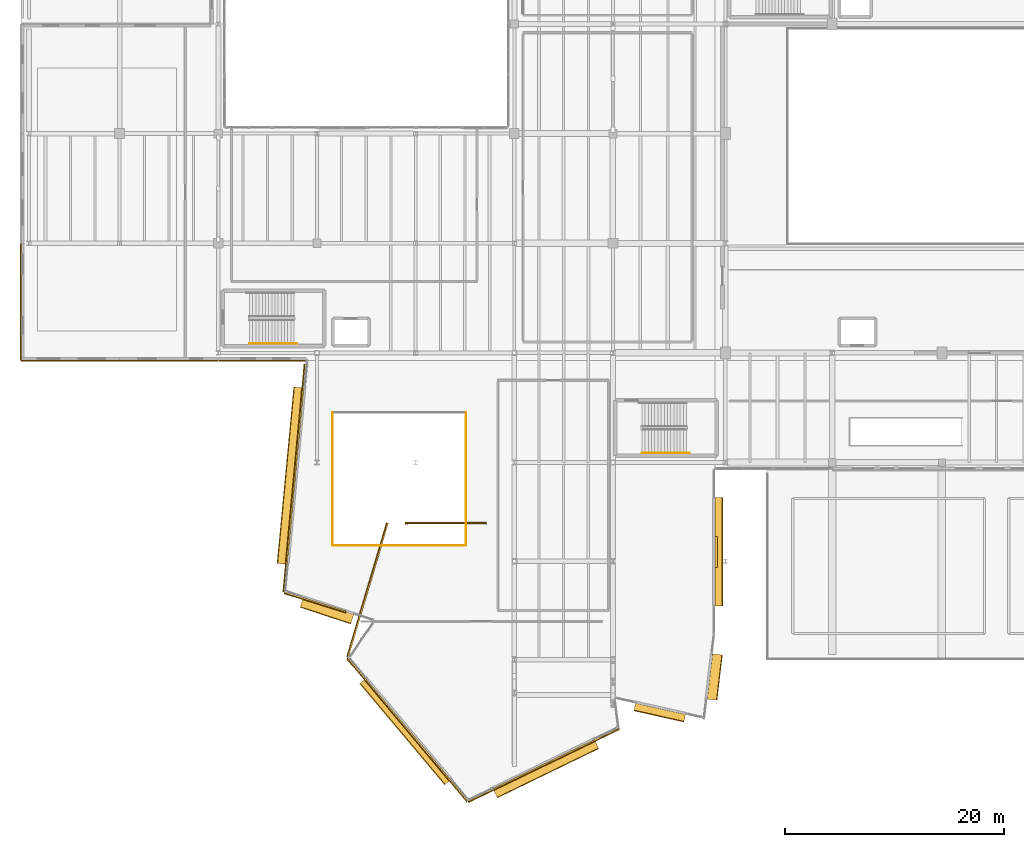
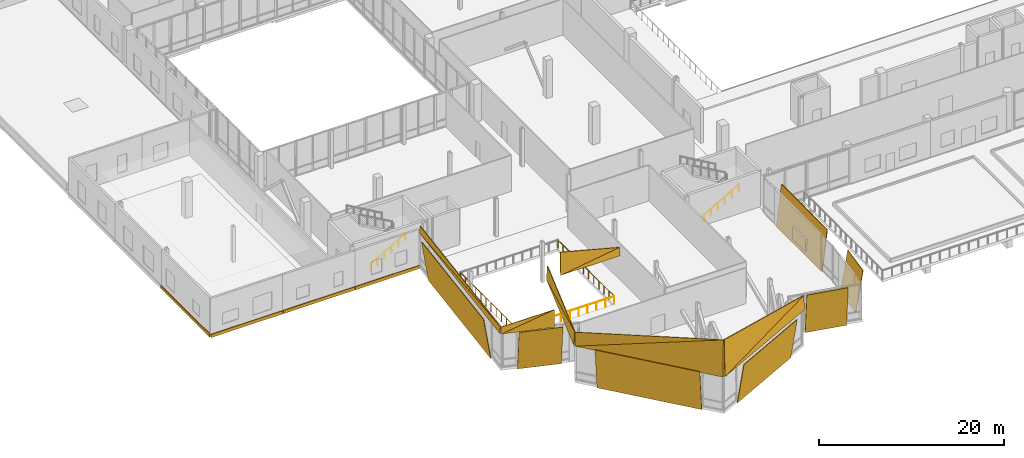
# One storey, part 49 of 60: 23 coverings, 5 railings, 1 shading device.
"""IFC4 building model written with IfcOpenShell, lengths in metres."""

from ifc_helpers import new_model, si_unit, direction, frame, origin, origin_2d, place, context, subcontext, project, spatial, polyline, rectangle, circle, outline, extrude, material, layer, layer_set, type_object, element, save


model = new_model("IFC4")

# Units and contexts
model_context = context("Model", 3, precision=1e-05, world=origin(), true_north=direction((0.0, 1.0)))
body_context = subcontext(model_context, "Body", "Model", "MODEL_VIEW")
ifc_project = project(units=[si_unit("LENGTHUNIT", "METRE"), si_unit("AREAUNIT", "SQUARE_METRE"), si_unit("VOLUMEUNIT", "CUBIC_METRE"), si_unit("PLANEANGLEUNIT", "RADIAN"), si_unit("MASSUNIT", "GRAM", prefix="KILO")], contexts=[model_context])

# Site, building, storey
site_placement = place(None, origin())
site = spatial("IfcSite", under=ifc_project, at=site_placement, CompositionType="ELEMENT")
building_placement = place(site_placement, origin())
building = spatial("IfcBuilding", under=site, at=building_placement, Name="Trimount Lyric Opera House", CompositionType="ELEMENT")
storey_placement = place(building_placement, frame((0.0, 0.0, 15.0)))
storey = spatial("IfcBuildingStorey", under=building, at=storey_placement, Name="L03", CompositionType="ELEMENT", Elevation=15.0)

# Coverings
ifc_material_1 = material(Name="Matte White GFRC Crystal Facet Panel")
ifc_layer_1 = layer(ifc_material_1, 0.0849609375)
ifc_layer_set_1 = layer_set([ifc_layer_1], Name="CLD-CRYS1")
covering_type_1 = type_object("IfcCoveringType", Name="CLD-CRYS1", PredefinedType="CLADDING", material=ifc_layer_set_1)
covering_1_placement = place(storey_placement, frame((63.294921875, 40.7900390625, -0.360107421875), z_axis=(-0.992963032863, 0.0, 0.118424724476), x_axis=(0.0, -1.0, 0.0)))
element("IfcCovering", 1, at=covering_1_placement, inside=storey, type_object=covering_type_1, Name="L03 broken-crystal tilted white plane 007", PredefinedType="CLADDING", context=body_context, shape_type="SweptSolid", body=[
    extrude(outline(polyline([(0.0, 0.0), (9.89111328125, 0.0), (9.89111328125, 5.438416442155196), (0.0, 5.438416442155196), (0.0, 0.0)])), origin(), (0.0, 0.0, -1.0), 0.0849609375),
])
covering_2_placement = place(storey_placement, frame((60.61962890625, 21.02392578125, -0.360107421875), z_axis=(0.21675348473, 0.969015578795, 0.118434517395), x_axis=(-0.97588398213, 0.218289838108, 0.0)))
element("IfcCovering", 2, at=covering_2_placement, inside=storey, type_object=covering_type_1, Name="L03 broken-crystal tilted white plane 009", PredefinedType="CLADDING", context=body_context, shape_type="SweptSolid", body=[
    extrude(outline(polyline([(0.0, 0.0), (4.677249763886362, -1.3877787807814457e-17), (4.677309327117693, 5.4182614090830565), (5.956323133120659e-05, 5.4182614090830565), (0.0, 0.0)])), origin(), (0.0, 0.0, -1.0), 0.0849609375),
])
covering_3_placement = place(storey_placement, frame((39.192138671875, 15.0537109375, -0.360107421875), z_axis=(0.76042790397, 0.638540075456, 0.118389082691), x_axis=(-0.643062469103, 0.765813724629, -9.12318e-07)))
element("IfcCovering", 3, at=covering_3_placement, inside=storey, type_object=covering_type_1, Name="L03 broken-crystal tilted white plane 011", PredefinedType="CLADDING", context=body_context, shape_type="SweptSolid", body=[
    extrude(outline(polyline([(0.0, 0.0), (12.045741602737102, 1.1102230246251565e-16), (12.045777230436347, 5.438404231874411), (-0.00012136997387718699, 5.438382096970377), (0.0, 0.0)])), origin(), (0.0, 0.0, -1.0), 0.0849609375),
])
covering_4_placement = place(storey_placement, frame((29.704345703125, 26.077880859375, 4.580078125), z_axis=(-0.766463558092, -0.641955530798, 0.020656974467), x_axis=(0.64209253926, -0.766627139506, 0.0)))
element("IfcCovering", 4, at=covering_4_placement, inside=storey, type_object=covering_type_1, Name="L03 white crystal gable facet CRYS-GB-S2W.1", PredefinedType="CLADDING", context=body_context, shape_type="SweptSolid", body=[
    extrude(outline(polyline([(0.0, 0.0), (17.02236199975293, 5.551115123125783e-17), (17.022360564117594, 4.840876686886658), (0.0, 0.0)])), origin(), (0.0, 0.0, -1.0), 0.0849609375),
])
covering_5_placement = place(storey_placement, frame((29.704345703125, 26.077880859375, 4.580078125), z_axis=(-0.77189818038, -0.633239259508, 0.056402476399), x_axis=(0.621935800079, -0.733760913657, 0.273479034243)))
element("IfcCovering", 5, at=covering_5_placement, inside=storey, type_object=covering_type_1, Name="L03 white crystal gable facet CRYS-GB-S2W.2", PredefinedType="CLADDING", context=body_context, shape_type="SweptSolid", body=[
    extrude(outline(polyline([(0.0, 0.0), (17.69731183746471, 0.0), (0.48462688456832304, 1.7053168318499685), (0.0, 0.0)])), origin(), (0.0, 0.0, -1.0), 0.0849609375),
])
covering_6_placement = place(storey_placement, frame((40.862548828125, 12.97900390625, 4.580078125), z_axis=(0.434230194419, -0.899164822147, 0.054284075634), x_axis=(0.900492569139, 0.434871398146, 0.0)))
element("IfcCovering", 6, at=covering_6_placement, inside=storey, type_object=covering_type_1, Name="L03 white crystal gable facet CRYS-GB-S2E.1", PredefinedType="CLADDING", context=body_context, shape_type="SweptSolid", body=[
    extrude(outline(polyline([(0.0, 0.0), (15.291652594550342, 0.0), (15.291696507784959, 1.8425605455691316), (0.0, 0.0)])), origin(), (0.0, 0.0, -1.0), 0.0849609375),
])
covering_7_placement = place(storey_placement, frame((40.862548828125, 12.97900390625, 4.580078125), z_axis=(0.438430468805, -0.898528624372, 0.020616382023), x_axis=(0.891201813551, 0.437596194982, 0.11945249123)))
element("IfcCovering", 7, at=covering_7_placement, inside=storey, type_object=covering_type_1, Name="L03 white crystal gable facet CRYS-GB-S2E.2", PredefinedType="CLADDING", context=body_context, shape_type="SweptSolid", body=[
    extrude(outline(polyline([(0.0, 0.0), (15.402305394008092, 2.220446049250313e-16), (0.5787176911830185, 4.806155820539424), (0.0, 0.0)])), origin(), (0.0, 0.0, -1.0), 0.0849609375),
])
covering_8_placement = place(storey_placement, frame((33.31787109375, 38.504150390625, 4.580078125), z_axis=(-0.956842972056, 0.285092522964, 0.056336313136), x_axis=(-0.285546013208, -0.958365000582, 0.0)))
element("IfcCovering", 8, at=covering_8_placement, inside=storey, type_object=covering_type_1, Name="L03 white crystal gable facet CRYS-GB-S2WL.1", PredefinedType="CLADDING", context=body_context, shape_type="SweptSolid", body=[
    extrude(outline(polyline([(0.0, 0.0), (12.782186319988915, 0.0), (12.78223384632943, 1.772835061381857), (0.0, 0.0)])), origin(), (0.0, 0.0, -1.0), 0.0849609375),
])
covering_9_placement = place(storey_placement, frame((33.31787109375, 38.504150390625, 4.580078125), z_axis=(-0.956830630857, 0.285107915377, 0.0564678709), x_axis=(-0.275421317897, -0.951488139922, 0.137162010905)))
element("IfcCovering", 9, at=covering_9_placement, inside=storey, type_object=covering_type_1, Name="L03 white crystal gable facet CRYS-GB-S2WL.2", PredefinedType="CLADDING", context=body_context, shape_type="SweptSolid", body=[
    extrude(outline(polyline([(0.0, 0.0), (12.904590123561244, -2.220446049250313e-16), (0.24353225427180003, 1.756041852547658), (0.0, 0.0)])), origin(), (0.0, 0.0, -1.0), 0.0849609375),
])
covering_10_placement = place(storey_placement, frame((23.993408203125, 32.0185546875, 4.580078125), z_axis=(-0.297985319245, -0.953528078616, 0.044597677132), x_axis=(0.954477756673, -0.298282101401, 0.0)))
element("IfcCovering", 10, at=covering_10_placement, inside=storey, type_object=covering_type_1, Name="L03 white crystal gable facet CRYS-GB-S1S.1", PredefinedType="CLADDING", context=body_context, shape_type="SweptSolid", body=[
    extrude(outline(polyline([(0.0, 0.0), (5.866929298743736, 0.0), (5.866884861406422, 2.242221180292309), (0.0, 0.0)])), origin(), (0.0, 0.0, -1.0), 0.0849609375),
])
covering_11_placement = place(storey_placement, frame((23.993408203125, 32.0185546875, 4.580078125), z_axis=(-0.322992816563, -0.938993229232, 0.118183568677), x_axis=(0.896331400884, -0.263430239984, 0.35664341919)))
element("IfcCovering", 11, at=covering_11_placement, inside=storey, type_object=covering_type_1, Name="L03 white crystal gable facet CRYS-GB-S1S.2", PredefinedType="CLADDING", context=body_context, shape_type="SweptSolid", body=[
    extrude(outline(polyline([(0.0, 0.0), (6.280755830180894, -4.440892098500626e-16), (0.3010753342501634, 0.7903737981176744), (0.0, 0.0)])), origin(), (0.0, 0.0, -1.0), 0.0849609375),
])
covering_12_placement = place(storey_placement, frame((35.0400390625, 38.389892578125, 4.580078125), z_axis=(0.0, -0.99540046293, 0.095801453005), x_axis=(1.0, 0.0, 0.0)))
element("IfcCovering", 12, at=covering_12_placement, inside=storey, type_object=covering_type_1, Name="L03 white crystal gable facet CRYS-GB-S1E.1", PredefinedType="CLADDING", context=body_context, shape_type="SweptSolid", body=[
    extrude(outline(polyline([(0.0, 0.0), (7.409912109375, 0.0), (7.409912109375, 1.044844865189384), (0.0, 0.0)])), origin(), (0.0, 0.0, -1.0), 0.0849609375),
])
covering_13_placement = place(storey_placement, frame((35.0400390625, 38.389892578125, 4.580078125), z_axis=(0.008788695274, -0.999397732067, 0.033569807484), x_axis=(0.990204433537, 0.013376291317, 0.13898292929)))
element("IfcCovering", 13, at=covering_13_placement, inside=storey, type_object=covering_type_1, Name="L03 white crystal gable facet CRYS-GB-S1E.2", PredefinedType="CLADDING", context=body_context, shape_type="SweptSolid", body=[
    extrude(outline(polyline([(0.0, 0.0), (7.48321443371596, 2.220446049250313e-16), (0.41550535018275586, 2.9525681091022644), (0.0, 0.0)])), origin(), (0.0, 0.0, -1.0), 0.0849609375),
])
covering_14_placement = place(storey_placement, frame((25.810791015625, 52.9677734375, 4.580078125), z_axis=(-0.988624387744, 0.09290454378, 0.118281721763), x_axis=(-0.093561337116, -0.995613517484, 0.0)))
element("IfcCovering", 14, at=covering_14_placement, inside=storey, type_object=covering_type_1, Name="L03 white crystal gable facet CRYS-GB-S1W.1", PredefinedType="CLADDING", context=body_context, shape_type="SweptSolid", body=[
    extrude(outline(polyline([(0.0, 0.0), (20.84142052674665, -2.7755575615628914e-17), (20.841337589276232, 0.8457810675525815), (0.0, 0.0)])), origin(), (0.0, 0.0, -1.0), 0.0849609375),
])
covering_15_placement = place(storey_placement, frame((25.810791015625, 52.9677734375, 4.580078125), z_axis=(-0.989109348141, 0.092784771264, 0.114252718313), x_axis=(-0.088709278525, -0.995243429605, 0.040263876254)))
element("IfcCovering", 15, at=covering_15_placement, inside=storey, type_object=covering_type_1, Name="L03 white crystal gable facet CRYS-GB-S1W.2", PredefinedType="CLADDING", context=body_context, shape_type="SweptSolid", body=[
    extrude(outline(polyline([(0.0, 0.0), (20.858492230370075, 0.0), (0.03542140033650827, 0.8748900152434836), (0.0, 0.0)])), origin(), (0.0, 0.0, -1.0), 0.0849609375),
])
ifc_material_2 = material(Name="Brushed White Aluminium Crystal Cladding", Category="aluminium")
ifc_layer_2 = layer(ifc_material_2, 0.070068359375)
ifc_layer_set_2 = layer_set([ifc_layer_2], Name="CLD-CRYS2")
covering_type_2 = type_object("IfcCoveringType", Name="CLD-CRYS2", PredefinedType="CLADDING", material=ifc_layer_set_2)
covering_16_placement = place(storey_placement, frame((24.263427734375, 34.71630859375, -0.360107421875), z_axis=(0.983286939399, -0.093113275768, 0.156450352136), x_axis=(0.094274184652, 0.995546271204, 0.0)))
element("IfcCovering", 16, at=covering_16_placement, inside=storey, type_object=covering_type_2, Name="L03 broken-crystal tilted white plane 006", PredefinedType="CLADDING", context=body_context, shape_type="SweptSolid", body=[
    extrude(outline(polyline([(0.0, 0.0), (16.154467146765597, 2.7755575615628914e-17), (16.154637425013178, 5.4674739194261806), (0.0001702782475827419, 5.4674739194261806), (0.0, 0.0)])), origin(), (0.0, 0.0, -1.0), 0.070068359375),
])
covering_17_placement = place(storey_placement, frame((63.080078125, 26.554443359375, -0.360107421875), z_axis=(-0.980837191307, 0.116160918104, 0.156413059732), x_axis=(-0.117609182319, -0.993059958016, -4.498362e-06)))
element("IfcCovering", 17, at=covering_17_placement, inside=storey, type_object=covering_type_2, Name="L03 broken-crystal tilted white plane 008", PredefinedType="CLADDING", context=body_context, shape_type="SweptSolid", body=[
    extrude(outline(polyline([(0.0, 0.0), (4.163183923039241, 0.0), (4.163154347391649, 5.467460184554166), (-8.624683150669386e-07, 5.467422262917448), (0.0, 0.0)])), origin(), (0.0, 0.0, -1.0), 0.070068359375),
])
covering_18_placement = place(storey_placement, frame((52.313232421875, 18.717529296875, -0.360107421875), z_axis=(-0.43137062132, 0.888507140498, 0.156443115368), x_axis=(-0.899583797098, -0.436748202054, -8.01306e-07)))
element("IfcCovering", 18, at=covering_18_placement, inside=storey, type_object=covering_type_2, Name="L03 broken-crystal tilted white plane 010", PredefinedType="CLADDING", context=body_context, shape_type="SweptSolid", body=[
    extrude(outline(polyline([(0.0, 0.0), (10.280607910610158, 0.0), (10.280487404140151, 5.447206809189521), (9.911848045590651e-05, 5.447190128150118), (0.0, 0.0)])), origin(), (0.0, 0.0, -1.0), 0.070068359375),
])
covering_19_placement = place(storey_placement, frame((30.35302734375, 30.138916015625, -0.360107421875), z_axis=(0.308326433747, 0.938331825025, 0.156423132555), x_axis=(-0.950026582896, 0.312169011577, 1.214143e-06)))
element("IfcCovering", 19, at=covering_19_placement, inside=storey, type_object=covering_type_2, Name="L03 broken-crystal tilted white plane 012", PredefinedType="CLADDING", context=body_context, shape_type="SweptSolid", body=[
    extrude(outline(polyline([(0.0, 0.0), (4.8489988926872885, 5.551115123125783e-17), (4.8488786388295, 5.467444093551061), (0.00011168622592684334, 5.467456014770643), (0.0, 0.0)])), origin(), (0.0, 0.0, -1.0), 0.070068359375),
])
ifc_material_3 = material(Name="Architectural Precast Concrete Spandrel Band", Category="concrete")
ifc_layer_3 = layer(ifc_material_3, 0.094970703125)
ifc_layer_set_3 = layer_set([ifc_layer_3], Name="CLD-WING1")
covering_type_3 = type_object("IfcCoveringType", Name="CLD-WING1", PredefinedType="CLADDING", material=ifc_layer_set_3)
covering_20_placement = place(storey_placement, frame((22.0, 53.278564453125, -0.369873046875), z_axis=(0.0, 0.0, 1.0), x_axis=(-1.0, 0.0, 0.0)))
element("IfcCovering", 20, at=covering_20_placement, inside=storey, type_object=covering_type_3, Name="L03 precast slab-edge spandrel 241", PredefinedType="CLADDING", context=body_context, shape_type="SweptSolid", body=[
    extrude(rectangle(XDim=7.93994140625, YDim=0.094970703125, at=origin_2d()), origin(), (0.0, 0.0, 1.0), 0.419921875),
])
for number, where, z_axis, x_axis, name in (
    (21, (13.5, 53.278564453125, -0.369873046875), (0.0, 0.0, 1.0), (-1.0, 0.0, 0.0), "L03 precast slab-edge spandrel 242"),
    (22, (4.5, 53.278564453125, -0.369873046875), (0.0, 0.0, 1.0), (-1.0, 0.0, 0.0), "L03 precast slab-edge spandrel 243"),
):
    element("IfcCovering", number, at=place(storey_placement, frame(where, z_axis=z_axis, x_axis=x_axis)), inside=storey, type_object=covering_type_3, Name=name, PredefinedType="CLADDING", context=body_context, shape_type="SweptSolid", body=[
        extrude(rectangle(XDim=8.93994140625, YDim=0.094970703125, at=origin_2d()), origin(), (0.0, 0.0, 1.0), 0.419921875),
    ])
covering_21_placement = place(storey_placement, frame((-0.04150390625, 58.659912109375, -0.369873046875), z_axis=(0.0, 0.0, 1.0), x_axis=(0.0, 1.0, 0.0)))
element("IfcCovering", 23, at=covering_21_placement, inside=storey, type_object=covering_type_3, Name="L03 precast slab-edge spandrel 244", PredefinedType="CLADDING", context=body_context, shape_type="SweptSolid", body=[
    extrude(rectangle(XDim=10.6201171875, YDim=0.094970703125, at=origin_2d()), origin(), (0.0, 0.0, 1.0), 0.419921875),
])

# Railings
ifc_material_4 = material(Name="Bronze and Laminated Acoustic Glass", Category="glass")
railing_type_1 = type_object("IfcRailingType", Name="RL-BAL112", PredefinedType="BALUSTRADE", material=ifc_material_4)
railing_1_placement = place(storey_placement, frame((28.419921875, 36.419921875, 0.0)))
element("IfcRailing", 24, at=railing_1_placement, inside=storey, type_object=railing_type_1, Name="L03 atrium and balcony guard GRD-ST-L03-S", PredefinedType="BALUSTRADE", context=body_context, shape_type="SweptSolid", body=[
    extrude(circle(Radius=0.02734375, at=origin_2d()), frame((0.0, 0.0, 1.0927734375), z_axis=(1.0, 0.0, 0.0), x_axis=(0.0, 1.0, 0.0)), (0.0, 0.0, 1.0), 12.16015625),
    extrude(circle(Radius=0.02099609375, at=origin_2d()), origin(), (0.0, 0.0, 1.0), 1.065185546875),
    extrude(circle(Radius=0.02099609375, at=origin_2d()), frame((1.10546875, 0.0, 0.0)), (0.0, 0.0, 1.0), 1.065185546875),
    extrude(circle(Radius=0.02099609375, at=origin_2d()), frame((2.2109375, 0.0, 0.0)), (0.0, 0.0, 1.0), 1.065185546875),
    extrude(circle(Radius=0.02099609375, at=origin_2d()), frame((3.31640625, 0.0, 0.0)), (0.0, 0.0, 1.0), 1.065185546875),
    extrude(circle(Radius=0.02099609375, at=origin_2d()), frame((4.421875, 0.0, 0.0)), (0.0, 0.0, 1.0), 1.065185546875),
    extrude(circle(Radius=0.02099609375, at=origin_2d()), frame((5.52734375, 0.0, 0.0)), (0.0, 0.0, 1.0), 1.065185546875),
    extrude(circle(Radius=0.02099609375, at=origin_2d()), frame((6.6328125, 0.0, 0.0)), (0.0, 0.0, 1.0), 1.065185546875),
    extrude(circle(Radius=0.02099609375, at=origin_2d()), frame((7.73828125, 0.0, 0.0)), (0.0, 0.0, 1.0), 1.065185546875),
    extrude(circle(Radius=0.02099609375, at=origin_2d()), frame((8.84375, 0.0, 0.0)), (0.0, 0.0, 1.0), 1.065185546875),
    extrude(circle(Radius=0.02099609375, at=origin_2d()), frame((9.94921875, 0.0, 0.0)), (0.0, 0.0, 1.0), 1.065185546875),
    extrude(circle(Radius=0.02099609375, at=origin_2d()), frame((11.0546875, 0.0, 0.0)), (0.0, 0.0, 1.0), 1.065185546875),
    extrude(circle(Radius=0.02099609375, at=origin_2d()), frame((12.16015625, 0.0, 0.0)), (0.0, 0.0, 1.0), 1.065185546875),
])
railing_2_placement = place(storey_placement, frame((40.580078125, 36.419921875, 0.0)))
element("IfcRailing", 25, at=railing_2_placement, inside=storey, type_object=railing_type_1, Name="L03 atrium and balcony guard GRD-ST-L03-E", PredefinedType="BALUSTRADE", context=body_context, shape_type="SweptSolid", body=[
    extrude(circle(Radius=0.02734375, at=origin_2d()), frame((0.0, 0.0, 1.0927734375), z_axis=(0.0, 1.0, 0.0), x_axis=(-1.0, 0.0, 0.0)), (0.0, 0.0, 1.0), 12.16015625),
    extrude(circle(Radius=0.02099609375, at=origin_2d()), origin(), (0.0, 0.0, 1.0), 1.065185546875),
    extrude(circle(Radius=0.02099609375, at=origin_2d()), frame((0.0, 1.10546875, 0.0)), (0.0, 0.0, 1.0), 1.065185546875),
    extrude(circle(Radius=0.02099609375, at=origin_2d()), frame((0.0, 2.2109375, 0.0)), (0.0, 0.0, 1.0), 1.065185546875),
    extrude(circle(Radius=0.02099609375, at=origin_2d()), frame((0.0, 3.31640625, 0.0)), (0.0, 0.0, 1.0), 1.065185546875),
    extrude(circle(Radius=0.02099609375, at=origin_2d()), frame((0.0, 4.421875, 0.0)), (0.0, 0.0, 1.0), 1.065185546875),
    extrude(circle(Radius=0.02099609375, at=origin_2d()), frame((0.0, 5.52734375, 0.0)), (0.0, 0.0, 1.0), 1.065185546875),
    extrude(circle(Radius=0.02099609375, at=origin_2d()), frame((0.0, 6.6328125, 0.0)), (0.0, 0.0, 1.0), 1.065185546875),
    extrude(circle(Radius=0.02099609375, at=origin_2d()), frame((0.0, 7.73828125, 0.0)), (0.0, 0.0, 1.0), 1.065185546875),
    extrude(circle(Radius=0.02099609375, at=origin_2d()), frame((0.0, 8.84375, 0.0)), (0.0, 0.0, 1.0), 1.065185546875),
    extrude(circle(Radius=0.02099609375, at=origin_2d()), frame((0.0, 9.94921875, 0.0)), (0.0, 0.0, 1.0), 1.065185546875),
    extrude(circle(Radius=0.02099609375, at=origin_2d()), frame((0.0, 11.0546875, 0.0)), (0.0, 0.0, 1.0), 1.065185546875),
    extrude(circle(Radius=0.02099609375, at=origin_2d()), frame((0.0, 12.16015625, 0.0)), (0.0, 0.0, 1.0), 1.065185546875),
])
railing_3_placement = place(storey_placement, frame((28.419921875, 48.580078125, 0.0)))
element("IfcRailing", 26, at=railing_3_placement, inside=storey, type_object=railing_type_1, Name="L03 atrium and balcony guard GRD-ST-L03-W", PredefinedType="BALUSTRADE", context=body_context, shape_type="SweptSolid", body=[
    extrude(circle(Radius=0.02734375, at=origin_2d()), frame((0.0, 0.0, 1.0927734375), z_axis=(0.0, -1.0, 0.0), x_axis=(1.0, 0.0, 0.0)), (0.0, 0.0, 1.0), 12.16015625),
    extrude(circle(Radius=0.02099609375, at=origin_2d()), origin(), (0.0, 0.0, 1.0), 1.065185546875),
    extrude(circle(Radius=0.02099609375, at=origin_2d()), frame((0.0, -1.10546875, 0.0)), (0.0, 0.0, 1.0), 1.065185546875),
    extrude(circle(Radius=0.02099609375, at=origin_2d()), frame((0.0, -2.2109375, 0.0)), (0.0, 0.0, 1.0), 1.065185546875),
    extrude(circle(Radius=0.02099609375, at=origin_2d()), frame((0.0, -3.31640625, 0.0)), (0.0, 0.0, 1.0), 1.065185546875),
    extrude(circle(Radius=0.02099609375, at=origin_2d()), frame((0.0, -4.421875, 0.0)), (0.0, 0.0, 1.0), 1.065185546875),
    extrude(circle(Radius=0.02099609375, at=origin_2d()), frame((0.0, -5.52734375, 0.0)), (0.0, 0.0, 1.0), 1.065185546875),
    extrude(circle(Radius=0.02099609375, at=origin_2d()), frame((0.0, -6.6328125, 0.0)), (0.0, 0.0, 1.0), 1.065185546875),
    extrude(circle(Radius=0.02099609375, at=origin_2d()), frame((0.0, -7.73828125, 0.0)), (0.0, 0.0, 1.0), 1.065185546875),
    extrude(circle(Radius=0.02099609375, at=origin_2d()), frame((0.0, -8.84375, 0.0)), (0.0, 0.0, 1.0), 1.065185546875),
    extrude(circle(Radius=0.02099609375, at=origin_2d()), frame((0.0, -9.94921875, 0.0)), (0.0, 0.0, 1.0), 1.065185546875),
    extrude(circle(Radius=0.02099609375, at=origin_2d()), frame((0.0, -11.0546875, 0.0)), (0.0, 0.0, 1.0), 1.065185546875),
    extrude(circle(Radius=0.02099609375, at=origin_2d()), frame((0.0, -12.16015625, 0.0)), (0.0, 0.0, 1.0), 1.065185546875),
])
ifc_material_5 = material(Name="Brushed Stainless Steel 316", Category="steel")
railing_type_2 = type_object("IfcRailingType", Name="RL-HND092", PredefinedType="HANDRAIL", material=ifc_material_5)
railing_4_placement = place(storey_placement, frame((20.85009765625, 54.85009765625, 0.166748046875)))
element("IfcRailing", 27, at=railing_4_placement, inside=storey, type_object=railing_type_2, Name="L03 ST-06 stair handrail 1", PredefinedType="HANDRAIL", context=body_context, shape_type="SweptSolid", body=[
    extrude(circle(Radius=0.0224609375, at=origin_2d()), frame((0.0, 0.0, 0.8974609375), z_axis=(0.866754379005, 0.0, 0.498735246875), x_axis=(0.0, 1.0, 0.0)), (0.0, 0.0, 1.0), 5.0185546875),
    extrude(circle(Radius=0.02099609375, at=origin_2d()), origin(), (0.0, 0.0, 1.0), 0.875),
    extrude(circle(Radius=0.02099609375, at=origin_2d()), frame((0.869873046875, 0.0, 0.50048828125)), (0.0, 0.0, 1.0), 0.875),
    extrude(circle(Radius=0.02099609375, at=origin_2d()), frame((1.739990234375, 0.0, 1.001220703125)), (0.0, 0.0, 1.0), 0.875),
    extrude(circle(Radius=0.02099609375, at=origin_2d()), frame((2.60986328125, 0.0, 1.501708984375)), (0.0, 0.0, 1.0), 0.875),
    extrude(circle(Radius=0.02099609375, at=origin_2d()), frame((3.47998046875, 0.0, 2.00244140625)), (0.0, 0.0, 1.0), 0.875),
    extrude(circle(Radius=0.02099609375, at=origin_2d()), frame((4.349853515625, 0.0, 2.5029296875)), (0.0, 0.0, 1.0), 0.875),
])
railing_5_placement = place(storey_placement, frame((56.64990234375, 44.85009765625, 0.166748046875)))
element("IfcRailing", 28, at=railing_5_placement, inside=storey, type_object=railing_type_2, Name="L03 ST-07 stair handrail 1", PredefinedType="HANDRAIL", context=body_context, shape_type="SweptSolid", body=[
    extrude(circle(Radius=0.0224609375, at=origin_2d()), frame((0.0, 0.0, 0.8974609375), z_axis=(0.866766478692, 0.0, 0.498714218181), x_axis=(0.0, 1.0, 0.0)), (0.0, 0.0, 1.0), 5.018798828125),
    extrude(circle(Radius=0.02099609375, at=origin_2d()), origin(), (0.0, 0.0, 1.0), 0.875),
    extrude(circle(Radius=0.02099609375, at=origin_2d()), frame((0.8701171875, 0.0, 0.50048828125)), (0.0, 0.0, 1.0), 0.875),
    extrude(circle(Radius=0.02099609375, at=origin_2d()), frame((1.739990234375, 0.0, 1.001220703125)), (0.0, 0.0, 1.0), 0.875),
    extrude(circle(Radius=0.02099609375, at=origin_2d()), frame((2.610107421875, 0.0, 1.501708984375)), (0.0, 0.0, 1.0), 0.875),
    extrude(circle(Radius=0.02099609375, at=origin_2d()), frame((3.47998046875, 0.0, 2.00244140625)), (0.0, 0.0, 1.0), 0.875),
    extrude(circle(Radius=0.02099609375, at=origin_2d()), frame((4.35009765625, 0.0, 2.5029296875)), (0.0, 0.0, 1.0), 0.875),
])

# Shading device
ifc_material_6 = material(Name="Anodised Bronze Acoustic Weather Louvre")
shading_device_type = type_object("IfcShadingDeviceType", Name="SHD-LVR1", PredefinedType="JALOUSIE", material=ifc_material_6)
shading_device_placement = place(storey_placement, frame((63.422119140625, 35.844482421875, 0.14990234375), z_axis=(0.0, 0.0, 1.0), x_axis=(1.0, 0.0, 0.0)))
element("IfcShadingDevice", 29, at=shading_device_placement, inside=storey, type_object=shading_device_type, Name="Acoustic plant intake louvre 05", PredefinedType="JALOUSIE", context=body_context, shape_type="SweptSolid", body=[
    extrude(rectangle(XDim=0.219970703125, YDim=2.800048828125, at=origin_2d()), origin(), (0.0, 0.0, 1.0), 1.60009765625),
])

save(model, "model.ifc")
